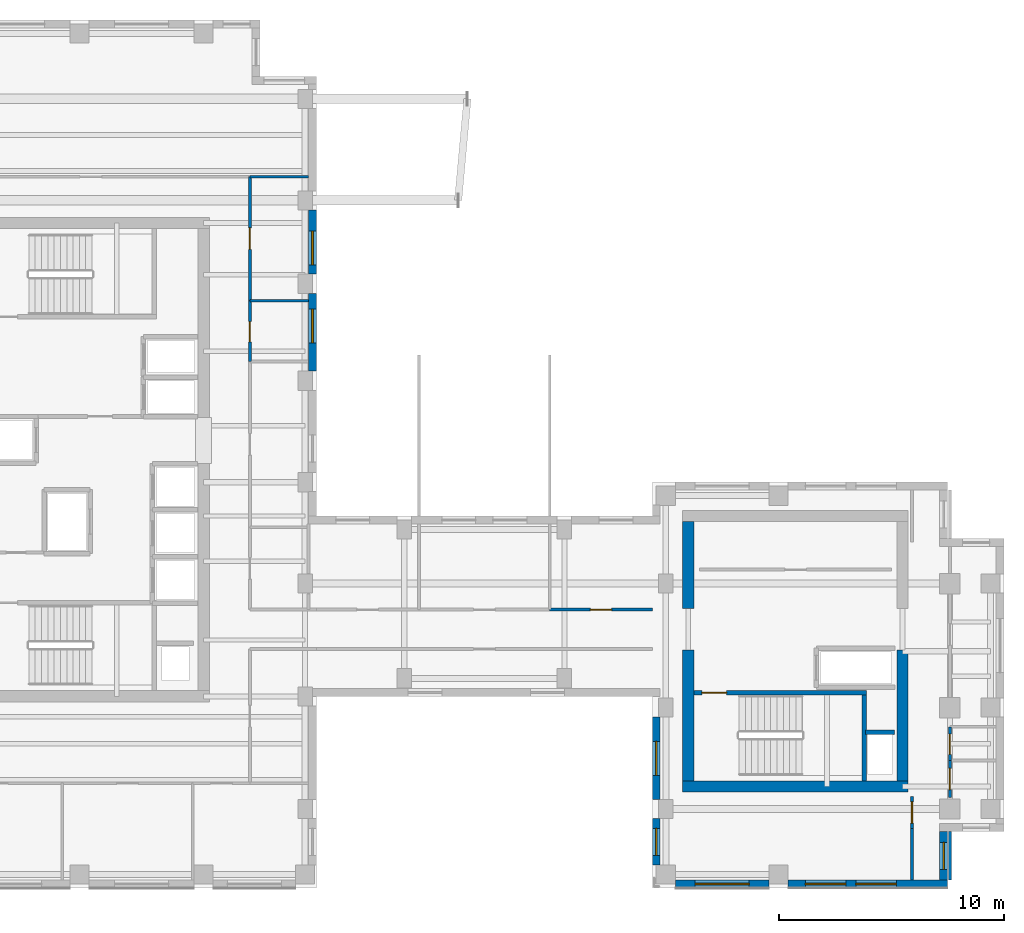
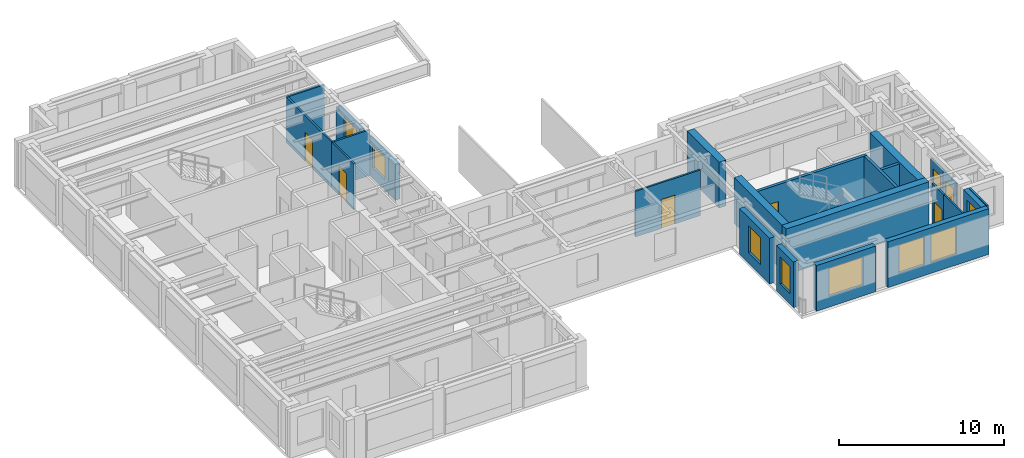
# One storey, part 7 of 11: 24 walls, 8 windows, 7 doors, 15 openings.
"""IFC4 building model written with IfcOpenShell, lengths in metres."""

from ifc_helpers import new_model, si_unit, direction, frame, frame_2d, origin, place, context, subcontext, project, spatial, rectangle, extrude, source, transform, mapped, material, layer, layer_set, type_object, element, fill, save


model = new_model("IFC4")

# Units and contexts
model_context = context("Model", 3, precision=1e-05, world=origin(), true_north=direction((0.0, 1.0)))
body_context = subcontext(model_context, "Body", "Model", "MODEL_VIEW")
ifc_project = project(units=[si_unit("LENGTHUNIT", "METRE"), si_unit("AREAUNIT", "SQUARE_METRE"), si_unit("VOLUMEUNIT", "CUBIC_METRE"), si_unit("PLANEANGLEUNIT", "RADIAN"), si_unit("MASSUNIT", "GRAM", prefix="KILO")], contexts=[model_context])

# Site, building, storey
site_placement = place(None, origin())
site = spatial("IfcSite", under=ifc_project, at=site_placement, CompositionType="ELEMENT")
building_placement = place(site_placement, origin())
building = spatial("IfcBuilding", under=site, at=building_placement, Name="Kharzan Plaza Tower", CompositionType="ELEMENT")
storey_placement = place(building_placement, frame((0.0, 0.0, 234.0)))
storey = spatial("IfcBuildingStorey", under=building, at=storey_placement, Name="L63", CompositionType="ELEMENT", Elevation=234.0)

# Wall, opening, window
ifc_material_1 = material(Name="Concrete C40/50", Category="concrete")
ifc_layer_1 = layer(ifc_material_1, 0.35009765625)
ifc_layer_set_1 = layer_set([ifc_layer_1], Name="Concrete C40/50")
wall_type_1 = type_object("IfcWallType", Name="WL-EXT-MAS-Z4", PredefinedType="SOLIDWALL", material=ifc_layer_set_1)
wall_1_placement = place(storey_placement, frame((19.324951171875, 22.923095703125, 0.0), z_axis=(0.0, 0.0, 1.0), x_axis=(0.0, 1.0, 0.0)))
wall_1 = element("IfcWall", 1, at=wall_1_placement, inside=storey, type_object=wall_type_1, Name="L63 Masonry-Frame Exterior Wall 03", PredefinedType="SOLIDWALL", context=body_context, shape_type="SweptSolid", body=[
    extrude(rectangle(XDim=3.453857421875, YDim=0.35009765625, at=frame_2d((1.72705078125, 0.0))), origin(), (0.0, 0.0, 1.0), 2.618896484375),
])
opening_1_placement = place(wall_1_placement, frame((1.255615234375, 0.0, 0.780029296875)))
opening_1 = element("IfcOpeningElement", 2, at=opening_1_placement, cuts=wall_1, Name="Opening W5", PredefinedType="OPENING", context=body_context, shape_type="SweptSolid", body=[
    extrude(rectangle(XDim=1.5, YDim=1.658935546875, at=frame_2d((0.75, 0.82958984375))), frame((0.0, 0.18505859375, 0.0), z_axis=(0.0, -1.0, 0.0), x_axis=(1.0, 0.0, 0.0)), (0.0, 0.0, 1.0), 0.3701171875),
])
ifc_material_2 = material(Name="Low-E Double Glazing", Category="glass")
window_type_1 = type_object("IfcWindowType", Name="WN-SLT-1500x2000", PartitioningType="SINGLE_PANEL", PredefinedType="WINDOW", material=ifc_material_2)
shared_shape_1 = source(origin(), body_context, "Body", "SweptSolid", [
    extrude(rectangle(XDim=1.5, YDim=1.658935546875, at=frame_2d((0.75, 0.82958984375))), frame((0.0, 0.030029296875, 0.0), z_axis=(0.0, -1.0, 0.0), x_axis=(1.0, 0.0, 0.0)), (0.0, 0.0, 1.0), 0.06005859375),
])
window_1_placement = place(opening_1_placement, origin())
window_1 = element("IfcWindow", 3, at=window_1_placement, inside=storey, type_object=window_type_1, Name="L63 Recessed Solar-Control Window 03-1", OverallHeight=1.658935546875, OverallWidth=1.5, PartitioningType="SINGLE_PANEL", PredefinedType="WINDOW", context=body_context, shape_type="MappedRepresentation", body=[
    mapped(shared_shape_1, transform((0.0, 0.0, 0.0), x_axis=(1.0, 0.0, 0.0), y_axis=(0.0, 1.0, 0.0), z_axis=(0.0, 0.0, 1.0))),
])
fill(opening_1, window_1)

wall_2_placement = place(storey_placement, frame((19.324951171875, 27.222900390625, 0.0), z_axis=(0.0, 0.0, 1.0), x_axis=(0.0, 1.0, 0.0)))
wall_2 = element("IfcWall", 4, at=wall_2_placement, inside=storey, type_object=wall_type_1, Name="L63 Masonry-Frame Exterior Wall 04", PredefinedType="SOLIDWALL", context=body_context, shape_type="SweptSolid", body=[
    extrude(rectangle(XDim=2.85400390625, YDim=0.35009765625, at=frame_2d((1.427001953125, 0.0))), origin(), (0.0, 0.0, 1.0), 2.618896484375),
])
opening_2_placement = place(wall_2_placement, frame((0.411376953125, 0.0, 0.780029296875)))
opening_2 = element("IfcOpeningElement", 5, at=opening_2_placement, cuts=wall_2, Name="Opening W5", PredefinedType="OPENING", context=body_context, shape_type="SweptSolid", body=[
    extrude(rectangle(XDim=1.5, YDim=1.658935546875, at=frame_2d((0.75, 0.82958984375))), frame((0.0, 0.18505859375, 0.0), z_axis=(0.0, -1.0, 0.0), x_axis=(1.0, 0.0, 0.0)), (0.0, 0.0, 1.0), 0.3701171875),
])
window_2_placement = place(opening_2_placement, origin())
window_2 = element("IfcWindow", 6, at=window_2_placement, inside=storey, type_object=window_type_1, Name="L63 Recessed Solar-Control Window 04-1", OverallHeight=1.658935546875, OverallWidth=1.5, PartitioningType="SINGLE_PANEL", PredefinedType="WINDOW", context=body_context, shape_type="MappedRepresentation", body=[
    mapped(shared_shape_1, transform((0.0, 0.0, 0.0), x_axis=(1.0, 0.0, 0.0), y_axis=(0.0, 1.0, 0.0), z_axis=(0.0, 0.0, 1.0))),
])
fill(opening_2, window_2)

wall_3_placement = place(storey_placement, frame((34.574951171875, 7.576904296875, 0.0), z_axis=(0.0, 0.0, 1.0), x_axis=(0.0, -1.0, 0.0)))
wall_3 = element("IfcWall", 7, at=wall_3_placement, inside=storey, type_object=wall_type_1, Name="L63 Masonry-Frame Exterior Wall 33", PredefinedType="SOLIDWALL", context=body_context, shape_type="SweptSolid", body=[
    extrude(rectangle(XDim=3.65380859375, YDim=0.35009765625, at=frame_2d((1.826904296875, 0.0))), origin(), (0.0, 0.0, 1.0), 3.385009765625),
])
opening_3_placement = place(wall_3_placement, frame((1.076904296875, 0.0, 0.780029296875)))
opening_3 = element("IfcOpeningElement", 8, at=opening_3_placement, cuts=wall_3, Name="Opening W5", PredefinedType="OPENING", context=body_context, shape_type="SweptSolid", body=[
    extrude(rectangle(XDim=1.5, YDim=2.0, at=frame_2d((0.75, 1.0))), frame((0.0, 0.18505859375, 0.0), z_axis=(0.0, -1.0, 0.0), x_axis=(1.0, 0.0, 0.0)), (0.0, 0.0, 1.0), 0.3701171875),
])
shared_shape_2 = source(origin(), body_context, "Body", "SweptSolid", [
    extrude(rectangle(XDim=1.5, YDim=2.0, at=frame_2d((0.75, 1.0))), frame((0.0, 0.030029296875, 0.0), z_axis=(0.0, -1.0, 0.0), x_axis=(1.0, 0.0, 0.0)), (0.0, 0.0, 1.0), 0.06005859375),
])
window_3_placement = place(opening_3_placement, origin())
window_3 = element("IfcWindow", 9, at=window_3_placement, inside=storey, type_object=window_type_1, Name="L63 Recessed Solar-Control Window 33-1", OverallHeight=2.0, OverallWidth=1.5, PartitioningType="SINGLE_PANEL", PredefinedType="WINDOW", context=body_context, shape_type="MappedRepresentation", body=[
    mapped(shared_shape_2, transform((0.0, 0.0, 0.0), x_axis=(1.0, 0.0, 0.0), y_axis=(0.0, 1.0, 0.0), z_axis=(0.0, 0.0, 1.0))),
])
fill(opening_3, window_3)

wall_4_placement = place(storey_placement, frame((34.574951171875, 3.076904296875, 0.0), z_axis=(0.0, 0.0, 1.0), x_axis=(0.0, -1.0, 0.0)))
wall_4 = element("IfcWall", 10, at=wall_4_placement, inside=storey, type_object=wall_type_1, Name="L63 Masonry-Frame Exterior Wall 34", PredefinedType="SOLIDWALL", context=body_context, shape_type="SweptSolid", body=[
    extrude(rectangle(XDim=2.053955078125, YDim=0.35009765625, at=frame_2d((1.02685546875, 0.0))), origin(), (0.0, 0.0, 1.0), 3.385009765625),
])
opening_4_placement = place(wall_4_placement, frame((0.427001953125, 0.0, 0.780029296875)))
opening_4 = element("IfcOpeningElement", 11, at=opening_4_placement, cuts=wall_4, Name="Opening W3", PredefinedType="OPENING", context=body_context, shape_type="SweptSolid", body=[
    extrude(rectangle(XDim=1.199951171875, YDim=2.0, at=frame_2d((0.60009765625, 1.0))), frame((0.0, 0.18505859375, 0.0), z_axis=(0.0, -1.0, 0.0), x_axis=(1.0, 0.0, 0.0)), (0.0, 0.0, 1.0), 0.3701171875),
])
window_type_2 = type_object("IfcWindowType", Name="WN-REC-1200x2100", PartitioningType="SINGLE_PANEL", PredefinedType="WINDOW", material=ifc_material_2)
shared_shape_3 = source(origin(), body_context, "Body", "SweptSolid", [
    extrude(rectangle(XDim=1.199951171875, YDim=2.0, at=frame_2d((0.60009765625, 1.0))), frame((0.0, 0.030029296875, 0.0), z_axis=(0.0, -1.0, 0.0), x_axis=(1.0, 0.0, 0.0)), (0.0, 0.0, 1.0), 0.06005859375),
])
window_4_placement = place(opening_4_placement, origin())
window_4 = element("IfcWindow", 12, at=window_4_placement, inside=storey, type_object=window_type_2, Name="L63 Recessed Solar-Control Window 34-1", OverallHeight=2.0, OverallWidth=1.199951171875, PartitioningType="SINGLE_PANEL", PredefinedType="WINDOW", context=body_context, shape_type="MappedRepresentation", body=[
    mapped(shared_shape_3, transform((0.0, 0.0, 0.0), x_axis=(1.0, 0.0, 0.0), y_axis=(0.0, 1.0, 0.0), z_axis=(0.0, 0.0, 1.0))),
])
fill(opening_4, window_4)

wall_5_placement = place(storey_placement, frame((35.423095703125, 0.175048828125, 0.0), z_axis=(0.0, 0.0, 1.0), x_axis=(1.0, 0.0, 0.0)))
wall_5 = element("IfcWall", 13, at=wall_5_placement, inside=storey, type_object=wall_type_1, Name="L63 Masonry-Frame Exterior Wall 35", PredefinedType="SOLIDWALL", context=body_context, shape_type="SweptSolid", body=[
    extrude(rectangle(XDim=4.15380859375, YDim=0.35009765625, at=frame_2d((2.076904296875, 0.0))), origin(), (0.0, 0.0, 1.0), 3.385009765625),
])
opening_5_placement = place(wall_5_placement, frame((0.876953125, 0.0, 0.780029296875)))
opening_5 = element("IfcOpeningElement", 14, at=opening_5_placement, cuts=wall_5, Name="Opening W2", PredefinedType="OPENING", context=body_context, shape_type="SweptSolid", body=[
    extrude(rectangle(XDim=2.39990234375, YDim=2.10009765625, at=frame_2d((1.199951171875, 1.050048828125))), frame((0.0, 0.18505859375, 0.0), z_axis=(0.0, -1.0, 0.0), x_axis=(1.0, 0.0, 0.0)), (0.0, 0.0, 1.0), 0.3701171875),
])
window_type_3 = type_object("IfcWindowType", Name="WN-REC-2400x2100", PartitioningType="SINGLE_PANEL", PredefinedType="WINDOW", material=ifc_material_2)
shared_shape_4 = source(origin(), body_context, "Body", "SweptSolid", [
    extrude(rectangle(XDim=2.39990234375, YDim=2.10009765625, at=frame_2d((1.199951171875, 1.050048828125))), frame((0.0, 0.030029296875, 0.0), z_axis=(0.0, -1.0, 0.0), x_axis=(1.0, 0.0, 0.0)), (0.0, 0.0, 1.0), 0.06005859375),
])
window_5_placement = place(opening_5_placement, origin())
window_5 = element("IfcWindow", 15, at=window_5_placement, inside=storey, type_object=window_type_3, Name="L63 Wide Recessed Solar-Control Window 35-1", OverallHeight=2.10009765625, OverallWidth=2.39990234375, PartitioningType="SINGLE_PANEL", PredefinedType="WINDOW", context=body_context, shape_type="MappedRepresentation", body=[
    mapped(shared_shape_4, transform((0.0, 0.0, 0.0), x_axis=(1.0, 0.0, 0.0), y_axis=(0.0, 1.0, 0.0), z_axis=(0.0, 0.0, 1.0))),
])
fill(opening_5, window_5)

# Wall, openings, windows
wall_6_placement = place(storey_placement, frame((40.423095703125, 0.175048828125, 0.0), z_axis=(0.0, 0.0, 1.0), x_axis=(1.0, 0.0, 0.0)))
wall_6 = element("IfcWall", 16, at=wall_6_placement, inside=storey, type_object=wall_type_1, Name="L63 Masonry-Frame Exterior Wall 36", PredefinedType="SOLIDWALL", context=body_context, shape_type="SweptSolid", body=[
    extrude(rectangle(XDim=7.076904296875, YDim=0.35009765625, at=frame_2d((3.53857421875, 0.0))), origin(), (0.0, 0.0, 1.0), 3.385009765625),
])
opening_6_placement = place(wall_6_placement, frame((0.76220703125, 0.0, 0.780029296875)))
opening_6 = element("IfcOpeningElement", 17, at=opening_6_placement, cuts=wall_6, Name="Opening W1", PredefinedType="OPENING", context=body_context, shape_type="SweptSolid", body=[
    extrude(rectangle(XDim=1.800048828125, YDim=2.10009765625, at=frame_2d((0.89990234375, 1.050048828125))), frame((0.0, 0.18505859375, 0.0), z_axis=(0.0, -1.0, 0.0), x_axis=(1.0, 0.0, 0.0)), (0.0, 0.0, 1.0), 0.3701171875),
])
opening_7_placement = place(wall_6_placement, frame((3.004638671875, 0.0, 0.780029296875)))
opening_7 = element("IfcOpeningElement", 18, at=opening_7_placement, cuts=wall_6, Name="Opening W1", PredefinedType="OPENING", context=body_context, shape_type="SweptSolid", body=[
    extrude(rectangle(XDim=1.800048828125, YDim=2.10009765625, at=frame_2d((0.89990234375, 1.050048828125))), frame((0.0, 0.18505859375, 0.0), z_axis=(0.0, -1.0, 0.0), x_axis=(1.0, 0.0, 0.0)), (0.0, 0.0, 1.0), 0.3701171875),
])
window_type_4 = type_object("IfcWindowType", Name="WN-REC-1800x2100", PartitioningType="SINGLE_PANEL", PredefinedType="WINDOW", material=ifc_material_2)
shared_shape_5 = source(origin(), body_context, "Body", "SweptSolid", [
    extrude(rectangle(XDim=1.800048828125, YDim=2.10009765625, at=frame_2d((0.89990234375, 1.050048828125))), frame((0.0, 0.030029296875, 0.0), z_axis=(0.0, -1.0, 0.0), x_axis=(1.0, 0.0, 0.0)), (0.0, 0.0, 1.0), 0.06005859375),
])
window_6_placement = place(opening_6_placement, origin())
window_6 = element("IfcWindow", 19, at=window_6_placement, inside=storey, type_object=window_type_4, Name="L63 Recessed Solar-Control Window 36-1", OverallHeight=2.10009765625, OverallWidth=1.800048828125, PartitioningType="SINGLE_PANEL", PredefinedType="WINDOW", context=body_context, shape_type="MappedRepresentation", body=[
    mapped(shared_shape_5, transform((0.0, 0.0, 0.0), x_axis=(1.0, 0.0, 0.0), y_axis=(0.0, 1.0, 0.0), z_axis=(0.0, 0.0, 1.0))),
])
fill(opening_6, window_6)
window_7_placement = place(opening_7_placement, origin())
window_7 = element("IfcWindow", 20, at=window_7_placement, inside=storey, type_object=window_type_4, Name="L63 Recessed Solar-Control Window 36-2", OverallHeight=2.10009765625, OverallWidth=1.800048828125, PartitioningType="SINGLE_PANEL", PredefinedType="WINDOW", context=body_context, shape_type="MappedRepresentation", body=[
    mapped(shared_shape_5, transform((0.0, 0.0, 0.0), x_axis=(1.0, 0.0, 0.0), y_axis=(0.0, 1.0, 0.0), z_axis=(0.0, 0.0, 1.0))),
])
fill(opening_7, window_7)

# Wall, opening, window
wall_7_placement = place(storey_placement, frame((47.324951171875, 0.347900390625, 0.0), z_axis=(0.0, 0.0, 1.0), x_axis=(0.0, 1.0, 0.0)))
wall_7 = element("IfcWall", 21, at=wall_7_placement, inside=storey, type_object=wall_type_1, Name="L63 Masonry-Frame Exterior Wall 37", PredefinedType="SOLIDWALL", context=body_context, shape_type="SweptSolid", body=[
    extrude(rectangle(XDim=2.154052734375, YDim=0.35009765625, at=frame_2d((1.0771484375, 0.0))), origin(), (0.0, 0.0, 1.0), 3.385009765625),
])
opening_8_placement = place(wall_7_placement, frame((0.47705078125, 0.0, 0.780029296875)))
opening_8 = element("IfcOpeningElement", 22, at=opening_8_placement, cuts=wall_7, Name="Opening W3", PredefinedType="OPENING", context=body_context, shape_type="SweptSolid", body=[
    extrude(rectangle(XDim=1.199951171875, YDim=2.10009765625, at=frame_2d((0.60009765625, 1.050048828125))), frame((0.0, 0.18505859375, 0.0), z_axis=(0.0, -1.0, 0.0), x_axis=(1.0, 0.0, 0.0)), (0.0, 0.0, 1.0), 0.3701171875),
])
shared_shape_6 = source(origin(), body_context, "Body", "SweptSolid", [
    extrude(rectangle(XDim=1.199951171875, YDim=2.10009765625, at=frame_2d((0.60009765625, 1.050048828125))), frame((0.0, 0.030029296875, 0.0), z_axis=(0.0, -1.0, 0.0), x_axis=(1.0, 0.0, 0.0)), (0.0, 0.0, 1.0), 0.06005859375),
])
window_8_placement = place(opening_8_placement, origin())
window_8 = element("IfcWindow", 23, at=window_8_placement, inside=storey, type_object=window_type_2, Name="L63 Recessed Solar-Control Window 37-1", OverallHeight=2.10009765625, OverallWidth=1.199951171875, PartitioningType="SINGLE_PANEL", PredefinedType="WINDOW", context=body_context, shape_type="MappedRepresentation", body=[
    mapped(shared_shape_6, transform((0.0, 0.0, 0.0), x_axis=(1.0, 0.0, 0.0), y_axis=(0.0, 1.0, 0.0), z_axis=(0.0, 0.0, 1.0))),
])
fill(opening_8, window_8)

# Wall, opening, door
ifc_material_3 = material(Name="Fire-Rated Gypsum Board Partition", Category="gypsum")
ifc_layer_2 = layer(ifc_material_3, 0.125)
ifc_layer_set_2 = layer_set([ifc_layer_2], Name="Fire-Rated Gypsum Board Partition")
wall_type_2 = type_object("IfcWallType", Name="WL-INT-PART-125", PredefinedType="PARTITIONING", material=ifc_layer_set_2)
wall_8_placement = place(storey_placement, frame((16.550048828125, 26.050048828125, 0.0), z_axis=(0.0, 0.0, 1.0), x_axis=(0.0, 1.0, 0.0)))
wall_8 = element("IfcWall", 24, at=wall_8_placement, inside=storey, type_object=wall_type_2, Name="L63 Interior Partition SH-AEWN3", PredefinedType="PARTITIONING", context=body_context, shape_type="SweptSolid", body=[
    extrude(rectangle(XDim=5.5, YDim=0.125, at=frame_2d((2.75, 0.0))), origin(), (0.0, 0.0, 1.0), 3.385009765625),
])
opening_9_placement = place(wall_8_placement, frame((2.27490234375, 0.0, 0.0)))
opening_9 = element("IfcOpeningElement", 25, at=opening_9_placement, cuts=wall_8, Name="Opening OD1", PredefinedType="OPENING", context=body_context, shape_type="SweptSolid", body=[
    extrude(rectangle(XDim=0.949951171875, YDim=2.14990234375, at=frame_2d((0.47509765625, 1.074951171875))), frame((0.0, 0.072509765625, 0.0), z_axis=(0.0, -1.0, 0.0), x_axis=(1.0, 0.0, 0.0)), (0.0, 0.0, 1.0), 0.14501953125),
])
ifc_material_4 = material(Name="Acoustic Solid-Core Stained Oak", Category="timber")
door_type_1 = type_object("IfcDoorType", Name="DR-OFF-SINGLE", OperationType="NOTDEFINED", PredefinedType="DOOR", material=ifc_material_4)
shared_shape_7 = source(origin(), body_context, "Body", "SweptSolid", [
    extrude(rectangle(XDim=0.949951171875, YDim=2.14990234375, at=frame_2d((0.47509765625, 1.074951171875))), frame((0.0, 0.02490234375, 0.0), z_axis=(0.0, -1.0, 0.0), x_axis=(1.0, 0.0, 0.0)), (0.0, 0.0, 1.0), 0.050048828125),
])
door_1_placement = place(opening_9_placement, origin())
door_1 = element("IfcDoor", 26, at=door_1_placement, inside=storey, type_object=door_type_1, Name="L63 Staff Tea Point Door", OperationType="SINGLE_SWING_LEFT", OverallHeight=2.14990234375, OverallWidth=0.949951171875, PredefinedType="DOOR", context=body_context, shape_type="MappedRepresentation", body=[
    mapped(shared_shape_7, transform((0.0, 0.0, 0.0), x_axis=(1.0, 0.0, 0.0), y_axis=(0.0, 1.0, 0.0), z_axis=(0.0, 0.0, 1.0))),
])
fill(opening_9, door_1)

wall_9_placement = place(storey_placement, frame((16.550048828125, 23.35009765625, 0.0), z_axis=(0.0, 0.0, 1.0), x_axis=(0.0, 1.0, 0.0)))
wall_9 = element("IfcWall", 27, at=wall_9_placement, inside=storey, type_object=wall_type_2, Name="L63 Interior Partition SH-AEWW", PredefinedType="PARTITIONING", context=body_context, shape_type="SweptSolid", body=[
    extrude(rectangle(XDim=2.699951171875, YDim=0.125, at=frame_2d((1.35009765625, 0.0))), origin(), (0.0, 0.0, 1.0), 3.385009765625),
])
opening_10_placement = place(wall_9_placement, frame((0.875, 0.0, 0.0)))
opening_10 = element("IfcOpeningElement", 28, at=opening_10_placement, cuts=wall_9, Name="Opening WD1", PredefinedType="OPENING", context=body_context, shape_type="SweptSolid", body=[
    extrude(rectangle(XDim=0.89990234375, YDim=2.14990234375, at=frame_2d((0.449951171875, 1.074951171875))), frame((0.0, 0.072509765625, 0.0), z_axis=(0.0, -1.0, 0.0), x_axis=(1.0, 0.0, 0.0)), (0.0, 0.0, 1.0), 0.14501953125),
])
ifc_material_5 = material(Name="Moisture-Resistant Fire-Rated Laminate", Category="timber")
door_type_2 = type_object("IfcDoorType", Name="DR-WC-900", OperationType="NOTDEFINED", PredefinedType="DOOR", material=ifc_material_5)
shared_shape_8 = source(origin(), body_context, "Body", "SweptSolid", [
    extrude(rectangle(XDim=0.89990234375, YDim=2.14990234375, at=frame_2d((0.449951171875, 1.074951171875))), frame((0.0, 0.02490234375, 0.0), z_axis=(0.0, -1.0, 0.0), x_axis=(1.0, 0.0, 0.0)), (0.0, 0.0, 1.0), 0.050048828125),
])
door_2_placement = place(opening_10_placement, origin())
door_2 = element("IfcDoor", 29, at=door_2_placement, inside=storey, type_object=door_type_2, Name="L63 Wing A Washroom Door", OperationType="SINGLE_SWING_RIGHT", OverallHeight=2.14990234375, OverallWidth=0.89990234375, PredefinedType="DOOR", context=body_context, shape_type="MappedRepresentation", body=[
    mapped(shared_shape_8, transform((0.0, 0.0, 0.0), x_axis=(1.0, 0.0, 0.0), y_axis=(0.0, 1.0, 0.0), z_axis=(0.0, 0.0, 1.0))),
])
fill(opening_10, door_2)

wall_10_placement = place(storey_placement, frame((47.60009765625, 4.02001953125, 0.0), z_axis=(0.0, 0.0, 1.0), x_axis=(0.0, 1.0, 0.0)))
wall_10 = element("IfcWall", 30, at=wall_10_placement, inside=storey, type_object=wall_type_2, Name="L63 Interior Partition SH-B0W0", PredefinedType="PARTITIONING", context=body_context, shape_type="SweptSolid", body=[
    extrude(rectangle(XDim=1.6298828125, YDim=0.125, at=frame_2d((0.81494140625, 0.0))), origin(), (0.0, 0.0, 1.0), 2.77294921875),
])
opening_11_placement = place(wall_10_placement, frame((0.340087890625, 0.0, 0.0)))
opening_11 = element("IfcOpeningElement", 31, at=opening_11_placement, cuts=wall_10, Name="Opening OD1", PredefinedType="OPENING", context=body_context, shape_type="SweptSolid", body=[
    extrude(rectangle(XDim=0.949951171875, YDim=2.14990234375, at=frame_2d((0.47509765625, 1.074951171875))), frame((0.0, 0.072509765625, 0.0), z_axis=(0.0, -1.0, 0.0), x_axis=(1.0, 0.0, 0.0)), (0.0, 0.0, 1.0), 0.14501953125),
])
door_3_placement = place(opening_11_placement, origin())
door_3 = element("IfcDoor", 32, at=door_3_placement, inside=storey, type_object=door_type_1, Name="L63 Wing B South Office Door", OperationType="SINGLE_SWING_RIGHT", OverallHeight=2.14990234375, OverallWidth=0.949951171875, PredefinedType="DOOR", context=body_context, shape_type="MappedRepresentation", body=[
    mapped(shared_shape_7, transform((0.0, 0.0, 0.0), x_axis=(1.0, 0.0, 0.0), y_axis=(0.0, 1.0, 0.0), z_axis=(0.0, 0.0, 1.0))),
])
fill(opening_11, door_3)

wall_11_placement = place(storey_placement, frame((47.60009765625, 5.64990234375, 0.0), z_axis=(0.0, 0.0, 1.0), x_axis=(0.0, 1.0, 0.0)))
wall_11 = element("IfcWall", 33, at=wall_11_placement, inside=storey, type_object=wall_type_2, Name="L63 Interior Partition SH-B0WC", PredefinedType="PARTITIONING", context=body_context, shape_type="SweptSolid", body=[
    extrude(rectangle(XDim=1.5, YDim=0.125, at=frame_2d((0.75, 0.0))), origin(), (0.0, 0.0, 1.0), 2.77294921875),
])
opening_12_placement = place(wall_11_placement, frame((0.27490234375, 0.0, 0.0)))
opening_12 = element("IfcOpeningElement", 34, at=opening_12_placement, cuts=wall_11, Name="Opening WD1", PredefinedType="OPENING", context=body_context, shape_type="SweptSolid", body=[
    extrude(rectangle(XDim=0.89990234375, YDim=2.14990234375, at=frame_2d((0.449951171875, 1.074951171875))), frame((0.0, 0.072509765625, 0.0), z_axis=(0.0, -1.0, 0.0), x_axis=(1.0, 0.0, 0.0)), (0.0, 0.0, 1.0), 0.14501953125),
])
door_4_placement = place(opening_12_placement, origin())
door_4 = element("IfcDoor", 35, at=door_4_placement, inside=storey, type_object=door_type_2, Name="L63 Wing B Washroom Door", OperationType="SINGLE_SWING_LEFT", OverallHeight=2.14990234375, OverallWidth=0.89990234375, PredefinedType="DOOR", context=body_context, shape_type="MappedRepresentation", body=[
    mapped(shared_shape_8, transform((0.0, 0.0, 0.0), x_axis=(1.0, 0.0, 0.0), y_axis=(0.0, 1.0, 0.0), z_axis=(0.0, 0.0, 1.0))),
])
fill(opening_12, door_4)

wall_12_placement = place(storey_placement, frame((45.919921875, 2.64990234375, 0.0), z_axis=(0.0, 0.0, 1.0), x_axis=(0.0, 1.0, 0.0)))
wall_12 = element("IfcWall", 36, at=wall_12_placement, inside=storey, type_object=wall_type_2, Name="L63 Interior Partition SH-RBSE", PredefinedType="PARTITIONING", context=body_context, shape_type="SweptSolid", body=[
    extrude(rectangle(XDim=1.400146484375, YDim=0.125, at=frame_2d((0.7001953125, 0.0))), origin(), (0.0, 0.0, 1.0), 3.385009765625),
])
opening_13_placement = place(wall_12_placement, frame((0.22509765625, 0.0, 0.0)))
opening_13 = element("IfcOpeningElement", 37, at=opening_13_placement, cuts=wall_12, Name="Opening OD1", PredefinedType="OPENING", context=body_context, shape_type="SweptSolid", body=[
    extrude(rectangle(XDim=0.949951171875, YDim=2.14990234375, at=frame_2d((0.47509765625, 1.074951171875))), frame((0.0, 0.072509765625, 0.0), z_axis=(0.0, -1.0, 0.0), x_axis=(1.0, 0.0, 0.0)), (0.0, 0.0, 1.0), 0.14501953125),
])
door_5_placement = place(opening_13_placement, origin())
door_5 = element("IfcDoor", 38, at=door_5_placement, inside=storey, type_object=door_type_1, Name="L63 South-East Corner Office Door", OperationType="SINGLE_SWING_RIGHT", OverallHeight=2.14990234375, OverallWidth=0.949951171875, PredefinedType="DOOR", context=body_context, shape_type="MappedRepresentation", body=[
    mapped(shared_shape_7, transform((0.0, 0.0, 0.0), x_axis=(1.0, 0.0, 0.0), y_axis=(0.0, 1.0, 0.0), z_axis=(0.0, 0.0, 1.0))),
])
fill(opening_13, door_5)

wall_13_placement = place(storey_placement, frame((29.85009765625, 12.35009765625, 0.0), z_axis=(0.0, 0.0, 1.0), x_axis=(1.0, 0.0, 0.0)))
wall_13 = element("IfcWall", 39, at=wall_13_placement, inside=storey, type_object=wall_type_2, Name="L63 Interior Partition SH-SPNE1", PredefinedType="PARTITIONING", context=body_context, shape_type="SweptSolid", body=[
    extrude(rectangle(XDim=4.5498046875, YDim=0.125, at=frame_2d((2.27490234375, 0.0))), origin(), (0.0, 0.0, 1.0), 3.385009765625),
])
opening_14_placement = place(wall_13_placement, frame((1.800048828125, 0.0, 0.0)))
opening_14 = element("IfcOpeningElement", 40, at=opening_14_placement, cuts=wall_13, Name="Opening OD1", PredefinedType="OPENING", context=body_context, shape_type="SweptSolid", body=[
    extrude(rectangle(XDim=0.949951171875, YDim=2.14990234375, at=frame_2d((0.47509765625, 1.074951171875))), frame((0.0, 0.072509765625, 0.0), z_axis=(0.0, -1.0, 0.0), x_axis=(1.0, 0.0, 0.0)), (0.0, 0.0, 1.0), 0.14501953125),
])
door_6_placement = place(opening_14_placement, origin())
door_6 = element("IfcDoor", 41, at=door_6_placement, inside=storey, type_object=door_type_1, Name="L63 North-East Spine Door", OperationType="SINGLE_SWING_RIGHT", OverallHeight=2.14990234375, OverallWidth=0.949951171875, PredefinedType="DOOR", context=body_context, shape_type="MappedRepresentation", body=[
    mapped(shared_shape_7, transform((0.0, 0.0, 0.0), x_axis=(1.0, 0.0, 0.0), y_axis=(0.0, 1.0, 0.0), z_axis=(0.0, 0.0, 1.0))),
])
fill(opening_14, door_6)

ifc_material_6 = material(Name="Concrete C50/60", Category="concrete")
ifc_layer_3 = layer(ifc_material_6, 0.199951171875)
ifc_layer_set_3 = layer_set([ifc_layer_3], Name="Concrete C50/60")
wall_type_3 = type_object("IfcWallType", Name="WL-SHAFT-RC200", PredefinedType="SHEAR", material=ifc_layer_set_3)
wall_14_placement = place(storey_placement, frame((36.251953125, 8.655029296875, 0.0), z_axis=(0.0, 0.0, 1.0), x_axis=(1.0, 0.0, 0.0)))
wall_14 = element("IfcWall", 42, at=wall_14_placement, inside=storey, type_object=wall_type_3, Name="L63 Stair ST-3 North RC Shaft Wall", PredefinedType="SHEAR", context=body_context, shape_type="SweptSolid", body=[
    extrude(rectangle(XDim=7.653076171875, YDim=0.199951171875, at=frame_2d((3.82666015625, 0.0))), origin(), (0.0, 0.0, 1.0), 3.39990234375),
])
opening_15_placement = place(wall_14_placement, frame((0.35009765625, 0.0, 0.0)))
opening_15 = element("IfcOpeningElement", 43, at=opening_15_placement, cuts=wall_14, Name="Opening SD1", PredefinedType="OPENING", context=body_context, shape_type="SweptSolid", body=[
    extrude(rectangle(XDim=1.10009765625, YDim=2.14990234375, at=frame_2d((0.550048828125, 1.074951171875))), frame((0.0, 0.10986328125, 0.0), z_axis=(0.0, -1.0, 0.0), x_axis=(1.0, 0.0, 0.0)), (0.0, 0.0, 1.0), 0.219970703125),
])
ifc_material_7 = material(Name="Fire-Rated Hollow Galvanized Steel", Category="steel")
door_type_3 = type_object("IfcDoorType", Name="DR-STAIR-FD120", OperationType="NOTDEFINED", PredefinedType="DOOR", material=ifc_material_7)
shared_shape_9 = source(origin(), body_context, "Body", "SweptSolid", [
    extrude(rectangle(XDim=1.10009765625, YDim=2.14990234375, at=frame_2d((0.550048828125, 1.074951171875))), frame((0.0, 0.02490234375, 0.0), z_axis=(0.0, -1.0, 0.0), x_axis=(1.0, 0.0, 0.0)), (0.0, 0.0, 1.0), 0.050048828125),
])
door_7_placement = place(opening_15_placement, origin())
door_7 = element("IfcDoor", 44, at=door_7_placement, inside=storey, type_object=door_type_3, Name="L63 Stair ST-3 Fire Exit Door", OperationType="SINGLE_SWING_LEFT", OverallHeight=2.14990234375, OverallWidth=1.10009765625, PredefinedType="DOOR", context=body_context, shape_type="MappedRepresentation", body=[
    mapped(shared_shape_9, transform((0.0, 0.0, 0.0), x_axis=(1.0, 0.0, 0.0), y_axis=(0.0, 1.0, 0.0), z_axis=(0.0, 0.0, 1.0))),
])
fill(opening_15, door_7)

# Walls
shared_shape_10 = source(origin(), body_context, "Body", "SweptSolid", [
    extrude(rectangle(XDim=2.2978515625, YDim=0.125, at=frame_2d((1.14892578125, 0.0))), origin(), (0.0, 0.0, 1.0), 3.385009765625),
])
wall_15_placement = place(storey_placement, frame((45.919921875, 0.35205078125, 0.0), z_axis=(0.0, 0.0, 1.0), x_axis=(0.0, 1.0, 0.0)))
element("IfcWall", 45, at=wall_15_placement, inside=storey, type_object=wall_type_2, Name="L63 Interior Partition SH-RBSE0", PredefinedType="PARTITIONING", context=body_context, shape_type="MappedRepresentation", body=[
    mapped(shared_shape_10, transform((0.0, 0.0, 0.0), x_axis=(1.0, 0.0, 0.0), y_axis=(0.0, 1.0, 0.0), z_axis=(0.0, 0.0, 1.0))),
])
ifc_layer_4 = layer(ifc_material_1, 0.199951171875)
ifc_layer_set_4 = layer_set([ifc_layer_4], Name="Concrete C40/50")
wall_type_4 = type_object("IfcWallType", Name="WL-INT-SHAFT-200", PredefinedType="PARTITIONING", material=ifc_layer_set_4)
shared_shape_11 = source(origin(), body_context, "Body", "SweptSolid", [
    extrude(rectangle(XDim=1.2998046875, YDim=0.199951171875, at=frame_2d((0.64990234375, 0.0))), origin(), (0.0, 0.0, 1.0), 3.385009765625),
])
wall_16_placement = place(storey_placement, frame((43.85009765625, 6.89990234375, 0.0), z_axis=(0.0, 0.0, 1.0), x_axis=(1.0, 0.0, 0.0)))
element("IfcWall", 46, at=wall_16_placement, inside=storey, type_object=wall_type_4, Name="L63 Interior Partition CB-RSRB-N", PredefinedType="PARTITIONING", context=body_context, shape_type="MappedRepresentation", body=[
    mapped(shared_shape_11, transform((0.0, 0.0, 0.0), x_axis=(1.0, 0.0, 0.0), y_axis=(0.0, 1.0, 0.0), z_axis=(0.0, 0.0, 1.0))),
])
shared_shape_12 = source(origin(), body_context, "Body", "SweptSolid", [
    extrude(rectangle(XDim=2.597900390625, YDim=0.125, at=frame_2d((1.298828125, 0.0))), origin(), (0.0, 0.0, 1.0), 3.385009765625),
])
for number, where, z_axis, x_axis, name in (
    (47, (16.550048828125, 26.050048828125, 0.0), (0.0, 0.0, 1.0), (1.0, 0.0, 0.0), "L63 Interior Partition SH-AEH-260"),
    (48, (16.550048828125, 31.550048828125, 0.0), (0.0, 0.0, 1.0), (1.0, 0.0, 0.0), "L63 Interior Partition SH-NNE0"),
):
    element("IfcWall", number, at=place(storey_placement, frame(where, z_axis=z_axis, x_axis=x_axis)), inside=storey, type_object=wall_type_2, Name=name, PredefinedType="PARTITIONING", context=body_context, shape_type="MappedRepresentation", body=[
        mapped(shared_shape_12, transform((0.0, 0.0, 0.0), x_axis=(1.0, 0.0, 0.0), y_axis=(0.0, 1.0, 0.0), z_axis=(0.0, 0.0, 1.0))),
    ])
shared_shape_13 = source(origin(), body_context, "Body", "SweptSolid", [
    extrude(rectangle(XDim=2.14794921875, YDim=0.125, at=frame_2d((1.073974609375, 0.0))), origin(), (0.0, 0.0, 1.0), 3.385009765625),
])
wall_17_placement = place(storey_placement, frame((47.60009765625, 0.35009765625, 0.0), z_axis=(0.0, 0.0, 1.0), x_axis=(0.0, 1.0, 0.0)))
element("IfcWall", 49, at=wall_17_placement, inside=storey, type_object=wall_type_2, Name="L63 Interior Partition SH-B0W0S", PredefinedType="PARTITIONING", context=body_context, shape_type="MappedRepresentation", body=[
    mapped(shared_shape_13, transform((0.0, 0.0, 0.0), x_axis=(1.0, 0.0, 0.0), y_axis=(0.0, 1.0, 0.0), z_axis=(0.0, 0.0, 1.0))),
])
ifc_layer_5 = layer(ifc_material_6, 0.5)
ifc_layer_set_5 = layer_set([ifc_layer_5], Name="Concrete C50/60")
wall_type_5 = type_object("IfcWallType", Name="WL-CORE-500", PredefinedType="SHEAR", material=ifc_layer_set_5)
shared_shape_14 = source(origin(), body_context, "Body", "SweptSolid", [
    extrude(rectangle(XDim=5.800048828125, YDim=0.5, at=frame_2d((2.89990234375, 0.0))), origin(), (0.0, 0.0, 1.0), 3.39990234375),
])
for number, where, z_axis, x_axis, name in (
    (50, (45.5, 4.75, 0.0), (0.0, 0.0, 1.0), (0.0, 1.0, 0.0), "L63 CORE-B east shear pier 1"),
    (51, (36.0, 4.75, 0.0), (0.0, 0.0, 1.0), (0.0, 1.0, 0.0), "L63 CORE-B west shear pier 1"),
):
    element("IfcWall", number, at=place(storey_placement, frame(where, z_axis=z_axis, x_axis=x_axis)), inside=storey, type_object=wall_type_5, Name=name, PredefinedType="SHEAR", context=body_context, shape_type="MappedRepresentation", body=[
        mapped(shared_shape_14, transform((0.0, 0.0, 0.0), x_axis=(1.0, 0.0, 0.0), y_axis=(0.0, 1.0, 0.0), z_axis=(0.0, 0.0, 1.0))),
    ])
shared_shape_15 = source(origin(), body_context, "Body", "SweptSolid", [
    extrude(rectangle(XDim=3.85009765625, YDim=0.5, at=frame_2d((1.925048828125, 0.0))), origin(), (0.0, 0.0, 1.0), 3.39990234375),
])
wall_18_placement = place(storey_placement, frame((36.0, 12.39990234375, 0.0), z_axis=(0.0, 0.0, 1.0), x_axis=(0.0, 1.0, 0.0)))
element("IfcWall", 52, at=wall_18_placement, inside=storey, type_object=wall_type_5, Name="L63 CORE-B west shear pier 2", PredefinedType="SHEAR", context=body_context, shape_type="MappedRepresentation", body=[
    mapped(shared_shape_15, transform((0.0, 0.0, 0.0), x_axis=(1.0, 0.0, 0.0), y_axis=(0.0, 1.0, 0.0), z_axis=(0.0, 0.0, 1.0))),
])
shared_shape_16 = source(origin(), body_context, "Body", "SweptSolid", [
    extrude(rectangle(XDim=10.0, YDim=0.5, at=frame_2d((5.0, 0.0))), origin(), (0.0, 0.0, 1.0), 3.39990234375),
])
wall_19_placement = place(storey_placement, frame((35.75, 4.5, 0.0), z_axis=(0.0, 0.0, 1.0), x_axis=(1.0, 0.0, 0.0)))
element("IfcWall", 53, at=wall_19_placement, inside=storey, type_object=wall_type_5, Name="L63 CORE-B south RC shear wall", PredefinedType="SHEAR", context=body_context, shape_type="MappedRepresentation", body=[
    mapped(shared_shape_16, transform((0.0, 0.0, 0.0), x_axis=(1.0, 0.0, 0.0), y_axis=(0.0, 1.0, 0.0), z_axis=(0.0, 0.0, 1.0))),
])
shared_shape_17 = source(origin(), body_context, "Body", "SweptSolid", [
    extrude(rectangle(XDim=3.802978515625, YDim=0.199951171875, at=frame_2d((1.9013671875, 0.0))), origin(), (0.0, 0.0, 1.0), 3.39990234375),
])
wall_20_placement = place(storey_placement, frame((43.804931640625, 4.751953125, 0.0), z_axis=(0.0, 0.0, 1.0), x_axis=(0.0, 1.0, 0.0)))
element("IfcWall", 54, at=wall_20_placement, inside=storey, type_object=wall_type_3, Name="L63 Stair ST-3 East RC Shaft Wall", PredefinedType="SHEAR", context=body_context, shape_type="MappedRepresentation", body=[
    mapped(shared_shape_17, transform((0.0, 0.0, 0.0), x_axis=(1.0, 0.0, 0.0), y_axis=(0.0, 1.0, 0.0), z_axis=(0.0, 0.0, 1.0))),
])

save(model, "model.ifc")
